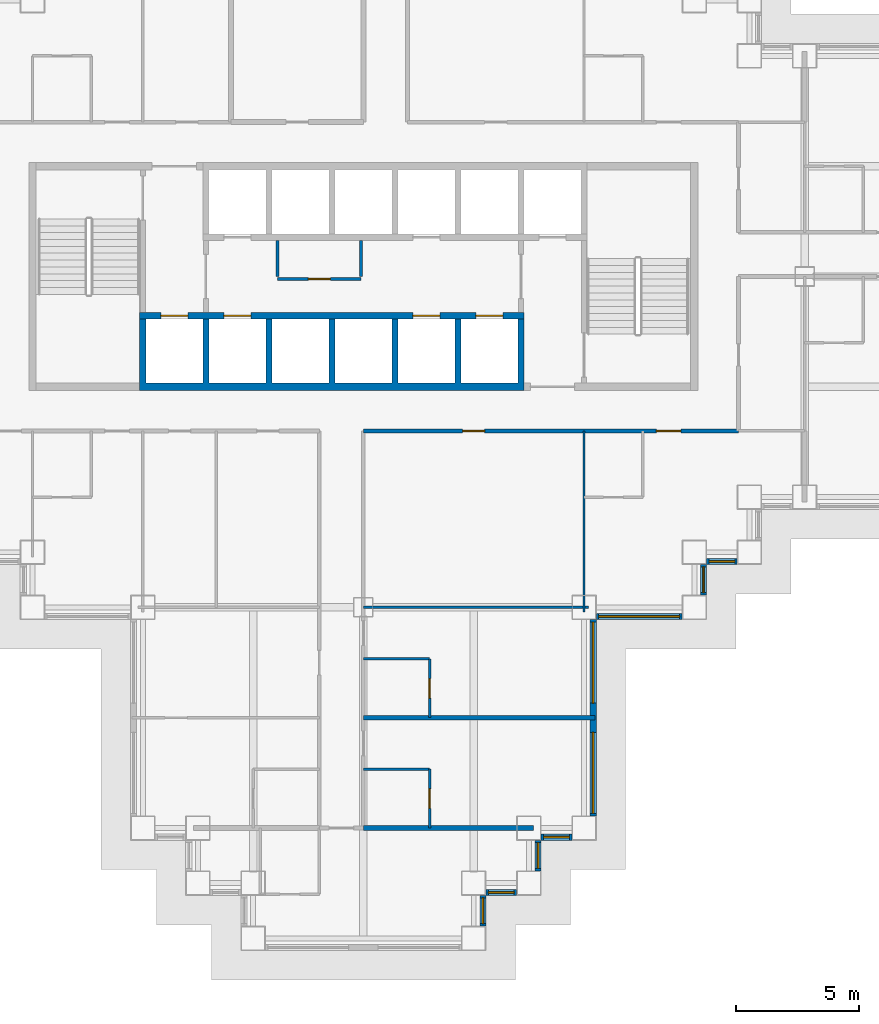
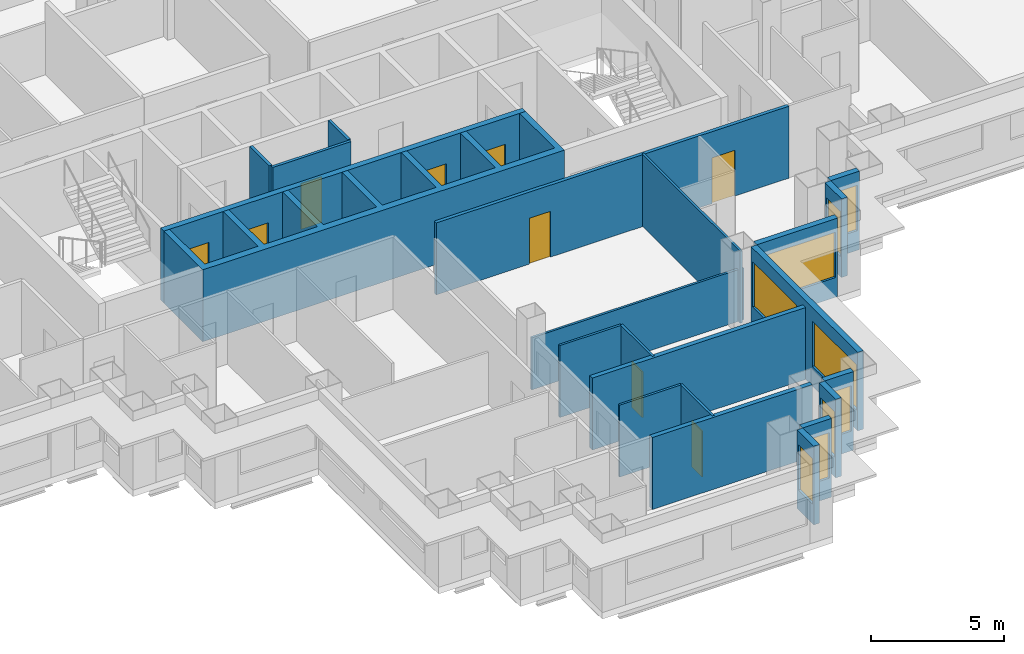
# One storey, part 5 of 14: 22 walls, 9 doors, 9 windows, 18 openings.
"""IFC4 building model written with IfcOpenShell, lengths in metres."""

from ifc_helpers import new_model, si_unit, direction, frame, frame_2d, origin, place, context, subcontext, project, spatial, polyline, rectangle, outline, extrude, material, layer, layer_set, type_object, element, fill, save


model = new_model("IFC4")

# Units and contexts
model_context = context("Model", 3, precision=1e-05, world=origin(), true_north=direction((0.0, 1.0)))
body_context = subcontext(model_context, "Body", "Model", "MODEL_VIEW")
ifc_project = project(units=[si_unit("LENGTHUNIT", "METRE"), si_unit("AREAUNIT", "SQUARE_METRE"), si_unit("VOLUMEUNIT", "CUBIC_METRE"), si_unit("PLANEANGLEUNIT", "RADIAN"), si_unit("MASSUNIT", "GRAM", prefix="KILO")], contexts=[model_context])

# Site, building, storey
site_placement = place(None, origin())
site = spatial("IfcSite", under=ifc_project, at=site_placement, CompositionType="ELEMENT")
building_placement = place(site_placement, origin())
building = spatial("IfcBuilding", under=site, at=building_placement, Name="Caravel Reach Hotel and Residences", CompositionType="ELEMENT")
storey_placement = place(building_placement, frame((0.0, 0.0, 67.199951171875)))
storey = spatial("IfcBuildingStorey", under=building, at=storey_placement, Name="L15", CompositionType="ELEMENT", Elevation=67.199951171875)

# Walls
ifc_material_1 = material(Name="Gypsum board on steel stud", Category="steel")
ifc_layer_1 = layer(ifc_material_1, 0.10009765625)
ifc_layer_set_1 = layer_set([ifc_layer_1], Name="Bathroom pod wall 100 mm")
wall_type_1 = type_object("IfcWallType", Name="Bathroom pod wall 100 mm", PredefinedType="PARTITIONING", material=ifc_layer_set_1)
for number, where, z_axis, x_axis, name in (
    (1, (31.5, 11.39990234375, 0.0), (0.0, 0.0, 1.0), (1.0, 0.0, 0.0), "L15 wall w074"),
    (2, (31.5, 6.89990234375, 0.0), (0.0, 0.0, 1.0), (1.0, 0.0, 0.0), "L15 wall w086"),
):
    element("IfcWall", number, at=place(storey_placement, frame(where, z_axis=z_axis, x_axis=x_axis)), inside=storey, type_object=wall_type_1, Name=name, PredefinedType="PARTITIONING", context=body_context, shape_type="SweptSolid", body=[
        extrude(rectangle(XDim=2.699951171875, YDim=0.10009765625, at=frame_2d((1.35009765625, 0.0))), origin(), (0.0, 0.0, 1.0), 3.300048828125),
    ])

# Wall, opening, door
wall_1_placement = place(storey_placement, frame((34.199951171875, 9.0, 0.0), z_axis=(0.0, 0.0, 1.0), x_axis=(0.0, 1.0, 0.0)))
wall_1 = element("IfcWall", 3, at=wall_1_placement, inside=storey, type_object=wall_type_1, Name="L15 wall w098", PredefinedType="PARTITIONING", context=body_context, shape_type="SweptSolid", body=[
    extrude(rectangle(XDim=2.39990234375, YDim=0.10009765625, at=frame_2d((1.199951171875, 0.0))), origin(), (0.0, 0.0, 1.0), 3.300048828125),
])
opening_1_placement = place(wall_1_placement, frame((0.800048828125, 0.0, 0.0)))
opening_1 = element("IfcOpeningElement", 4, at=opening_1_placement, cuts=wall_1, Name="Opening D15-034", PredefinedType="OPENING", context=body_context, shape_type="SweptSolid", body=[
    extrude(rectangle(XDim=0.800048828125, YDim=2.10009765625, at=frame_2d((0.39990234375, 1.050048828125))), frame((0.0, 0.06005859375, 0.0), z_axis=(0.0, -1.0, 0.0), x_axis=(1.0, 0.0, 0.0)), (0.0, 0.0, 1.0), 0.1201171875),
])
ifc_material_2 = material(Name="Timber and steel door leaf", Category="steel")
door_type_1 = type_object("IfcDoorType", Name="Bathroom door 800 x 2100", OperationType="SINGLE_SWING_LEFT", PredefinedType="DOOR", material=ifc_material_2)
door_1_placement = place(opening_1_placement, origin())
door_1 = element("IfcDoor", 5, at=door_1_placement, inside=storey, type_object=door_type_1, Name="door D15-034", OperationType="SINGLE_SWING_RIGHT", OverallHeight=2.10009765625, OverallWidth=0.800048828125, PredefinedType="DOOR", context=body_context, shape_type="SweptSolid", body=[
    extrude(rectangle(XDim=0.800048828125, YDim=2.10009765625, at=frame_2d((0.39990234375, 1.050048828125))), frame((0.0, 0.02490234375, 0.0), z_axis=(0.0, -1.0, 0.0), x_axis=(1.0, 0.0, 0.0)), (0.0, 0.0, 1.0), 0.050048828125),
])
fill(opening_1, door_1)

wall_2_placement = place(storey_placement, frame((34.199951171875, 4.5, 0.0), z_axis=(0.0, 0.0, 1.0), x_axis=(0.0, 1.0, 0.0)))
wall_2 = element("IfcWall", 6, at=wall_2_placement, inside=storey, type_object=wall_type_1, Name="L15 wall w099", PredefinedType="PARTITIONING", context=body_context, shape_type="SweptSolid", body=[
    extrude(rectangle(XDim=2.39990234375, YDim=0.10009765625, at=frame_2d((1.199951171875, 0.0))), origin(), (0.0, 0.0, 1.0), 3.300048828125),
])
opening_2_placement = place(wall_2_placement, frame((0.800048828125, 0.0, 0.0)))
opening_2 = element("IfcOpeningElement", 7, at=opening_2_placement, cuts=wall_2, Name="Opening D15-036", PredefinedType="OPENING", context=body_context, shape_type="SweptSolid", body=[
    extrude(rectangle(XDim=0.800048828125, YDim=2.10009765625, at=frame_2d((0.39990234375, 1.050048828125))), frame((0.0, 0.06005859375, 0.0), z_axis=(0.0, -1.0, 0.0), x_axis=(1.0, 0.0, 0.0)), (0.0, 0.0, 1.0), 0.1201171875),
])
door_2_placement = place(opening_2_placement, origin())
door_2 = element("IfcDoor", 8, at=door_2_placement, inside=storey, type_object=door_type_1, Name="door D15-036", OperationType="SINGLE_SWING_RIGHT", OverallHeight=2.10009765625, OverallWidth=0.800048828125, PredefinedType="DOOR", context=body_context, shape_type="SweptSolid", body=[
    extrude(rectangle(XDim=0.800048828125, YDim=2.10009765625, at=frame_2d((0.39990234375, 1.050048828125))), frame((0.0, 0.02490234375, 0.0), z_axis=(0.0, -1.0, 0.0), x_axis=(1.0, 0.0, 0.0)), (0.0, 0.0, 1.0), 0.050048828125),
])
fill(opening_2, door_2)

# Wall, openings, doors
ifc_material_3 = material(Name="Gypsum board on steel stud, fire-rated", Category="steel")
ifc_layer_2 = layer(ifc_material_3, 0.14990234375)
ifc_layer_set_2 = layer_set([ifc_layer_2], Name="Corridor wall 150 mm EI 60")
wall_type_2 = type_object("IfcWallType", Name="Corridor wall 150 mm EI 60", PredefinedType="PARTITIONING", material=ifc_layer_set_2)
wall_3_placement = place(storey_placement, frame((31.5, 20.699951171875, 0.0), z_axis=(0.0, 0.0, 1.0), x_axis=(1.0, 0.0, 0.0)))
wall_3 = element("IfcWall", 9, at=wall_3_placement, inside=storey, type_object=wall_type_2, Name="L15 wall w005", PredefinedType="PARTITIONING", context=body_context, shape_type="SweptSolid", body=[
    extrude(rectangle(XDim=15.300048828125, YDim=0.14990234375, at=frame_2d((7.64990234375, 0.0))), origin(), (0.0, 0.0, 1.0), 3.300048828125),
])
opening_3_placement = place(wall_3_placement, frame((11.949951171875, 0.0, 0.0)))
opening_3 = element("IfcOpeningElement", 10, at=opening_3_placement, cuts=wall_3, Name="Opening D15-049", PredefinedType="OPENING", context=body_context, shape_type="SweptSolid", body=[
    extrude(rectangle(XDim=1.0, YDim=2.10009765625, at=frame_2d((0.5, 1.050048828125))), frame((0.0, 0.0849609375, 0.0), z_axis=(0.0, -1.0, 0.0), x_axis=(1.0, 0.0, 0.0)), (0.0, 0.0, 1.0), 0.169921875),
])
opening_4_placement = place(wall_3_placement, frame((4.050048828125, 0.0, 0.0)))
opening_4 = element("IfcOpeningElement", 11, at=opening_4_placement, cuts=wall_3, Name="Opening D15-056", PredefinedType="OPENING", context=body_context, shape_type="SweptSolid", body=[
    extrude(rectangle(XDim=0.89990234375, YDim=2.10009765625, at=frame_2d((0.449951171875, 1.050048828125))), frame((0.0, 0.0849609375, 0.0), z_axis=(0.0, -1.0, 0.0), x_axis=(1.0, 0.0, 0.0)), (0.0, 0.0, 1.0), 0.169921875),
])
ifc_material_4 = material(Name="Timber and steel door leaf", Category="steel")
door_type_2 = type_object("IfcDoorType", Name="Door 900 x 2100 timber", OperationType="SINGLE_SWING_LEFT", PredefinedType="DOOR", material=ifc_material_4)
door_3_placement = place(opening_4_placement, origin())
door_3 = element("IfcDoor", 12, at=door_3_placement, inside=storey, type_object=door_type_2, Name="door D15-056", OperationType="SINGLE_SWING_RIGHT", OverallHeight=2.10009765625, OverallWidth=0.89990234375, PredefinedType="DOOR", context=body_context, shape_type="SweptSolid", body=[
    extrude(rectangle(XDim=0.89990234375, YDim=2.10009765625, at=frame_2d((0.449951171875, 1.050048828125))), frame((0.0, 0.02490234375, 0.0), z_axis=(0.0, -1.0, 0.0), x_axis=(1.0, 0.0, 0.0)), (0.0, 0.0, 1.0), 0.050048828125),
])
fill(opening_4, door_3)
ifc_material_5 = material(Name="Steel fire door leaf", Category="steel")
door_type_3 = type_object("IfcDoorType", Name="Guest room door 1000 x 2100 EI 30", OperationType="SINGLE_SWING_LEFT", PredefinedType="DOOR", material=ifc_material_5)
door_4_placement = place(opening_3_placement, origin())
door_4 = element("IfcDoor", 13, at=door_4_placement, inside=storey, type_object=door_type_3, Name="door D15-049", OperationType="SINGLE_SWING_RIGHT", OverallHeight=2.10009765625, OverallWidth=1.0, PredefinedType="DOOR", context=body_context, shape_type="SweptSolid", body=[
    extrude(rectangle(XDim=1.0, YDim=2.10009765625, at=frame_2d((0.5, 1.050048828125))), frame((0.0, 0.02490234375, 0.0), z_axis=(0.0, -1.0, 0.0), x_axis=(1.0, 0.0, 0.0)), (0.0, 0.0, 1.0), 0.050048828125),
])
fill(opening_3, door_4)

# Wall, opening, window
ifc_material_6 = material(Name="Insulated rainscreen wall, aluminium cladding", Category="aluminium")
ifc_layer_3 = layer(ifc_material_6, 0.25)
ifc_layer_set_3 = layer_set([ifc_layer_3], Name="EW1 Tower rainscreen wall")
wall_type_3 = type_object("IfcWallType", Name="EW1 Tower rainscreen wall", PredefinedType="SOLIDWALL", material=ifc_layer_set_3)
wall_4_placement = place(storey_placement, frame((36.375, 0.5, 0.0), z_axis=(0.0, 0.0, 1.0), x_axis=(0.0, 1.0, 0.0)))
wall_4 = element("IfcWall", 14, at=wall_4_placement, inside=storey, type_object=wall_type_3, Name="External wall L15 E6.1", PredefinedType="SOLIDWALL", context=body_context, shape_type="SweptSolid", body=[
    extrude(rectangle(XDim=1.25, YDim=0.25, at=frame_2d((0.625, 0.0))), origin(), (0.0, 0.0, 1.0), 3.60009765625),
])
opening_5_placement = place(wall_4_placement, frame((0.10009765625, 0.0, 0.89990234375)))
opening_5 = element("IfcOpeningElement", 15, at=opening_5_placement, cuts=wall_4, Name="Opening WN3", PredefinedType="OPENING", context=body_context, shape_type="SweptSolid", body=[
    extrude(rectangle(XDim=1.050048828125, YDim=2.080078125, at=frame_2d((0.52490234375, 1.0400390625))), frame((0.0, 0.135009765625, 0.0), z_axis=(0.0, -1.0, 0.0), x_axis=(1.0, 0.0, 0.0)), (0.0, 0.0, 1.0), 0.27001953125),
])
ifc_material_7 = material(Name="Dark low-e glazing in black aluminium frame", Category="aluminium")
window_type_1 = type_object("IfcWindowType", Name="Hotel suite corner window 1050 x 2080", PartitioningType="SINGLE_PANEL", PredefinedType="WINDOW", material=ifc_material_7)
window_1_placement = place(opening_5_placement, origin())
window_1 = element("IfcWindow", 16, at=window_1_placement, inside=storey, type_object=window_type_1, Name="Window L15 E6.1.1", OverallHeight=2.080078125, OverallWidth=1.050048828125, PartitioningType="SINGLE_PANEL", PredefinedType="WINDOW", context=body_context, shape_type="SweptSolid", body=[
    extrude(rectangle(XDim=1.050048828125, YDim=2.080078125, at=frame_2d((0.52490234375, 1.0400390625))), frame((0.0, 0.030029296875, 0.0), z_axis=(0.0, -1.0, 0.0), x_axis=(1.0, 0.0, 0.0)), (0.0, 0.0, 1.0), 0.06005859375),
])
fill(opening_5, window_1)

wall_5_placement = place(storey_placement, frame((36.5, 1.875, 0.0), z_axis=(0.0, 0.0, 1.0), x_axis=(1.0, 0.0, 0.0)))
wall_5 = element("IfcWall", 17, at=wall_5_placement, inside=storey, type_object=wall_type_3, Name="External wall L15 S7.1", PredefinedType="SOLIDWALL", context=body_context, shape_type="SweptSolid", body=[
    extrude(rectangle(XDim=1.25, YDim=0.25, at=frame_2d((0.625, 0.0))), origin(), (0.0, 0.0, 1.0), 3.60009765625),
])
opening_6_placement = place(wall_5_placement, frame((0.10009765625, 0.0, 0.89990234375)))
opening_6 = element("IfcOpeningElement", 18, at=opening_6_placement, cuts=wall_5, Name="Opening WN3", PredefinedType="OPENING", context=body_context, shape_type="SweptSolid", body=[
    extrude(rectangle(XDim=1.050048828125, YDim=2.080078125, at=frame_2d((0.52490234375, 1.0400390625))), frame((0.0, 0.135009765625, 0.0), z_axis=(0.0, -1.0, 0.0), x_axis=(1.0, 0.0, 0.0)), (0.0, 0.0, 1.0), 0.27001953125),
])
window_2_placement = place(opening_6_placement, origin())
window_2 = element("IfcWindow", 19, at=window_2_placement, inside=storey, type_object=window_type_1, Name="Window L15 S7.1.1", OverallHeight=2.080078125, OverallWidth=1.050048828125, PartitioningType="SINGLE_PANEL", PredefinedType="WINDOW", context=body_context, shape_type="SweptSolid", body=[
    extrude(rectangle(XDim=1.050048828125, YDim=2.080078125, at=frame_2d((0.52490234375, 1.0400390625))), frame((0.0, 0.030029296875, 0.0), z_axis=(0.0, -1.0, 0.0), x_axis=(1.0, 0.0, 0.0)), (0.0, 0.0, 1.0), 0.06005859375),
])
fill(opening_6, window_2)

wall_6_placement = place(storey_placement, frame((38.625, 2.75, 0.0), z_axis=(0.0, 0.0, 1.0), x_axis=(0.0, 1.0, 0.0)))
wall_6 = element("IfcWall", 20, at=wall_6_placement, inside=storey, type_object=wall_type_3, Name="External wall L15 E8.1", PredefinedType="SOLIDWALL", context=body_context, shape_type="SweptSolid", body=[
    extrude(rectangle(XDim=1.25, YDim=0.25, at=frame_2d((0.625, 0.0))), origin(), (0.0, 0.0, 1.0), 3.60009765625),
])
opening_7_placement = place(wall_6_placement, frame((0.10009765625, 0.0, 0.89990234375)))
opening_7 = element("IfcOpeningElement", 21, at=opening_7_placement, cuts=wall_6, Name="Opening WN3", PredefinedType="OPENING", context=body_context, shape_type="SweptSolid", body=[
    extrude(rectangle(XDim=1.050048828125, YDim=2.080078125, at=frame_2d((0.52490234375, 1.0400390625))), frame((0.0, 0.135009765625, 0.0), z_axis=(0.0, -1.0, 0.0), x_axis=(1.0, 0.0, 0.0)), (0.0, 0.0, 1.0), 0.27001953125),
])
window_3_placement = place(opening_7_placement, origin())
window_3 = element("IfcWindow", 22, at=window_3_placement, inside=storey, type_object=window_type_1, Name="Window L15 E8.1.1", OverallHeight=2.080078125, OverallWidth=1.050048828125, PartitioningType="SINGLE_PANEL", PredefinedType="WINDOW", context=body_context, shape_type="SweptSolid", body=[
    extrude(rectangle(XDim=1.050048828125, YDim=2.080078125, at=frame_2d((0.52490234375, 1.0400390625))), frame((0.0, 0.030029296875, 0.0), z_axis=(0.0, -1.0, 0.0), x_axis=(1.0, 0.0, 0.0)), (0.0, 0.0, 1.0), 0.06005859375),
])
fill(opening_7, window_3)

wall_7_placement = place(storey_placement, frame((38.75, 4.125, 0.0), z_axis=(0.0, 0.0, 1.0), x_axis=(1.0, 0.0, 0.0)))
wall_7 = element("IfcWall", 23, at=wall_7_placement, inside=storey, type_object=wall_type_3, Name="External wall L15 S9.1", PredefinedType="SOLIDWALL", context=body_context, shape_type="SweptSolid", body=[
    extrude(rectangle(XDim=1.25, YDim=0.25, at=frame_2d((0.625, 0.0))), origin(), (0.0, 0.0, 1.0), 3.60009765625),
])
opening_8_placement = place(wall_7_placement, frame((0.10009765625, 0.0, 0.89990234375)))
opening_8 = element("IfcOpeningElement", 24, at=opening_8_placement, cuts=wall_7, Name="Opening WN3", PredefinedType="OPENING", context=body_context, shape_type="SweptSolid", body=[
    extrude(rectangle(XDim=1.050048828125, YDim=2.080078125, at=frame_2d((0.52490234375, 1.0400390625))), frame((0.0, 0.135009765625, 0.0), z_axis=(0.0, -1.0, 0.0), x_axis=(1.0, 0.0, 0.0)), (0.0, 0.0, 1.0), 0.27001953125),
])
window_4_placement = place(opening_8_placement, origin())
window_4 = element("IfcWindow", 25, at=window_4_placement, inside=storey, type_object=window_type_1, Name="Window L15 S9.1.1", OverallHeight=2.080078125, OverallWidth=1.050048828125, PartitioningType="SINGLE_PANEL", PredefinedType="WINDOW", context=body_context, shape_type="SweptSolid", body=[
    extrude(rectangle(XDim=1.050048828125, YDim=2.080078125, at=frame_2d((0.52490234375, 1.0400390625))), frame((0.0, 0.030029296875, 0.0), z_axis=(0.0, -1.0, 0.0), x_axis=(1.0, 0.0, 0.0)), (0.0, 0.0, 1.0), 0.06005859375),
])
fill(opening_8, window_4)

# Wall, openings, windows
wall_8_placement = place(storey_placement, frame((40.875, 5.0, 0.0), z_axis=(0.0, 0.0, 1.0), x_axis=(0.0, 1.0, 0.0)))
wall_8 = element("IfcWall", 26, at=wall_8_placement, inside=storey, type_object=wall_type_3, Name="External wall L15 E10.1", PredefinedType="SOLIDWALL", context=body_context, shape_type="SweptSolid", body=[
    extrude(rectangle(XDim=8.0, YDim=0.25, at=frame_2d((4.0, 0.0))), origin(), (0.0, 0.0, 1.0), 3.60009765625),
])
opening_9_placement = place(wall_8_placement, frame((0.10009765625, 0.0, 0.89990234375)))
opening_9 = element("IfcOpeningElement", 27, at=opening_9_placement, cuts=wall_8, Name="Opening WN4", PredefinedType="OPENING", context=body_context, shape_type="SweptSolid", body=[
    extrude(rectangle(XDim=3.300048828125, YDim=2.080078125, at=frame_2d((1.64990234375, 1.0400390625))), frame((0.0, 0.135009765625, 0.0), z_axis=(0.0, -1.0, 0.0), x_axis=(1.0, 0.0, 0.0)), (0.0, 0.0, 1.0), 0.27001953125),
])
opening_10_placement = place(wall_8_placement, frame((4.60009765625, 0.0, 0.89990234375)))
opening_10 = element("IfcOpeningElement", 28, at=opening_10_placement, cuts=wall_8, Name="Opening WN4", PredefinedType="OPENING", context=body_context, shape_type="SweptSolid", body=[
    extrude(rectangle(XDim=3.300048828125, YDim=2.080078125, at=frame_2d((1.64990234375, 1.0400390625))), frame((0.0, 0.135009765625, 0.0), z_axis=(0.0, -1.0, 0.0), x_axis=(1.0, 0.0, 0.0)), (0.0, 0.0, 1.0), 0.27001953125),
])
ifc_material_8 = material(Name="Dark low-e glazing in black aluminium frame", Category="aluminium")
window_type_2 = type_object("IfcWindowType", Name="Hotel guest room window 3300 x 2080", PartitioningType="SINGLE_PANEL", PredefinedType="WINDOW", material=ifc_material_8)
window_5_placement = place(opening_9_placement, origin())
window_5 = element("IfcWindow", 29, at=window_5_placement, inside=storey, type_object=window_type_2, Name="Window L15 E10.1.1", OverallHeight=2.080078125, OverallWidth=3.300048828125, PartitioningType="SINGLE_PANEL", PredefinedType="WINDOW", context=body_context, shape_type="SweptSolid", body=[
    extrude(rectangle(XDim=3.300048828125, YDim=2.080078125, at=frame_2d((1.64990234375, 1.0400390625))), frame((0.0, 0.030029296875, 0.0), z_axis=(0.0, -1.0, 0.0), x_axis=(1.0, 0.0, 0.0)), (0.0, 0.0, 1.0), 0.06005859375),
])
fill(opening_9, window_5)
window_6_placement = place(opening_10_placement, origin())
window_6 = element("IfcWindow", 30, at=window_6_placement, inside=storey, type_object=window_type_2, Name="Window L15 E10.1.2", OverallHeight=2.080078125, OverallWidth=3.300048828125, PartitioningType="SINGLE_PANEL", PredefinedType="WINDOW", context=body_context, shape_type="SweptSolid", body=[
    extrude(rectangle(XDim=3.300048828125, YDim=2.080078125, at=frame_2d((1.64990234375, 1.0400390625))), frame((0.0, 0.030029296875, 0.0), z_axis=(0.0, -1.0, 0.0), x_axis=(1.0, 0.0, 0.0)), (0.0, 0.0, 1.0), 0.06005859375),
])
fill(opening_10, window_6)

# Wall, opening, window
wall_9_placement = place(storey_placement, frame((41.0, 13.125, 0.0), z_axis=(0.0, 0.0, 1.0), x_axis=(1.0, 0.0, 0.0)))
wall_9 = element("IfcWall", 31, at=wall_9_placement, inside=storey, type_object=wall_type_3, Name="External wall L15 S11.1", PredefinedType="SOLIDWALL", context=body_context, shape_type="SweptSolid", body=[
    extrude(rectangle(XDim=3.5, YDim=0.25, at=frame_2d((1.75, 0.0))), origin(), (0.0, 0.0, 1.0), 3.60009765625),
])
opening_11_placement = place(wall_9_placement, frame((0.10009765625, 0.0, 0.89990234375)))
opening_11 = element("IfcOpeningElement", 32, at=opening_11_placement, cuts=wall_9, Name="Opening WN4", PredefinedType="OPENING", context=body_context, shape_type="SweptSolid", body=[
    extrude(rectangle(XDim=3.300048828125, YDim=2.080078125, at=frame_2d((1.64990234375, 1.0400390625))), frame((0.0, 0.135009765625, 0.0), z_axis=(0.0, -1.0, 0.0), x_axis=(1.0, 0.0, 0.0)), (0.0, 0.0, 1.0), 0.27001953125),
])
window_7_placement = place(opening_11_placement, origin())
window_7 = element("IfcWindow", 33, at=window_7_placement, inside=storey, type_object=window_type_2, Name="Window L15 S11.1.1", OverallHeight=2.080078125, OverallWidth=3.300048828125, PartitioningType="SINGLE_PANEL", PredefinedType="WINDOW", context=body_context, shape_type="SweptSolid", body=[
    extrude(rectangle(XDim=3.300048828125, YDim=2.080078125, at=frame_2d((1.64990234375, 1.0400390625))), frame((0.0, 0.030029296875, 0.0), z_axis=(0.0, -1.0, 0.0), x_axis=(1.0, 0.0, 0.0)), (0.0, 0.0, 1.0), 0.06005859375),
])
fill(opening_11, window_7)

wall_10_placement = place(storey_placement, frame((45.375, 14.0, 0.0), z_axis=(0.0, 0.0, 1.0), x_axis=(0.0, 1.0, 0.0)))
wall_10 = element("IfcWall", 34, at=wall_10_placement, inside=storey, type_object=wall_type_3, Name="External wall L15 E12.1", PredefinedType="SOLIDWALL", context=body_context, shape_type="SweptSolid", body=[
    extrude(rectangle(XDim=1.25, YDim=0.25, at=frame_2d((0.625, 0.0))), origin(), (0.0, 0.0, 1.0), 3.60009765625),
])
opening_12_placement = place(wall_10_placement, frame((0.10009765625, 0.0, 0.89990234375)))
opening_12 = element("IfcOpeningElement", 35, at=opening_12_placement, cuts=wall_10, Name="Opening WN3", PredefinedType="OPENING", context=body_context, shape_type="SweptSolid", body=[
    extrude(rectangle(XDim=1.050048828125, YDim=2.080078125, at=frame_2d((0.52490234375, 1.0400390625))), frame((0.0, 0.135009765625, 0.0), z_axis=(0.0, -1.0, 0.0), x_axis=(1.0, 0.0, 0.0)), (0.0, 0.0, 1.0), 0.27001953125),
])
window_8_placement = place(opening_12_placement, origin())
window_8 = element("IfcWindow", 36, at=window_8_placement, inside=storey, type_object=window_type_1, Name="Window L15 E12.1.1", OverallHeight=2.080078125, OverallWidth=1.050048828125, PartitioningType="SINGLE_PANEL", PredefinedType="WINDOW", context=body_context, shape_type="SweptSolid", body=[
    extrude(rectangle(XDim=1.050048828125, YDim=2.080078125, at=frame_2d((0.52490234375, 1.0400390625))), frame((0.0, 0.030029296875, 0.0), z_axis=(0.0, -1.0, 0.0), x_axis=(1.0, 0.0, 0.0)), (0.0, 0.0, 1.0), 0.06005859375),
])
fill(opening_12, window_8)

wall_11_placement = place(storey_placement, frame((45.5, 15.375, 0.0), z_axis=(0.0, 0.0, 1.0), x_axis=(1.0, 0.0, 0.0)))
wall_11 = element("IfcWall", 37, at=wall_11_placement, inside=storey, type_object=wall_type_3, Name="External wall L15 S13.1", PredefinedType="SOLIDWALL", context=body_context, shape_type="SweptSolid", body=[
    extrude(rectangle(XDim=1.25, YDim=0.25, at=frame_2d((0.625, 0.0))), origin(), (0.0, 0.0, 1.0), 3.60009765625),
])
opening_13_placement = place(wall_11_placement, frame((0.10009765625, 0.0, 0.89990234375)))
opening_13 = element("IfcOpeningElement", 38, at=opening_13_placement, cuts=wall_11, Name="Opening WN3", PredefinedType="OPENING", context=body_context, shape_type="SweptSolid", body=[
    extrude(rectangle(XDim=1.050048828125, YDim=2.080078125, at=frame_2d((0.52490234375, 1.0400390625))), frame((0.0, 0.135009765625, 0.0), z_axis=(0.0, -1.0, 0.0), x_axis=(1.0, 0.0, 0.0)), (0.0, 0.0, 1.0), 0.27001953125),
])
window_9_placement = place(opening_13_placement, origin())
window_9 = element("IfcWindow", 39, at=window_9_placement, inside=storey, type_object=window_type_1, Name="Window L15 S13.1.1", OverallHeight=2.080078125, OverallWidth=1.050048828125, PartitioningType="SINGLE_PANEL", PredefinedType="WINDOW", context=body_context, shape_type="SweptSolid", body=[
    extrude(rectangle(XDim=1.050048828125, YDim=2.080078125, at=frame_2d((0.52490234375, 1.0400390625))), frame((0.0, 0.030029296875, 0.0), z_axis=(0.0, -1.0, 0.0), x_axis=(1.0, 0.0, 0.0)), (0.0, 0.0, 1.0), 0.06005859375),
])
fill(opening_13, window_9)

# Walls
ifc_material_9 = material(Name="Gypsum board on steel stud", Category="steel")
ifc_layer_4 = layer(ifc_material_9, 0.10009765625)
ifc_layer_set_4 = layer_set([ifc_layer_4], Name="Partition 100 mm")
wall_type_4 = type_object("IfcWallType", Name="Partition 100 mm", PredefinedType="PARTITIONING", material=ifc_layer_set_4)
wall_12_placement = place(storey_placement, frame((31.5, 13.5, 0.0), z_axis=(0.0, 0.0, 1.0), x_axis=(1.0, 0.0, 0.0)))
element("IfcWall", 40, at=wall_12_placement, inside=storey, type_object=wall_type_4, Name="L15 wall w038", PredefinedType="PARTITIONING", context=body_context, shape_type="SweptSolid", body=[
    extrude(rectangle(XDim=9.18994140625, YDim=0.10009765625, at=frame_2d((4.594970703125, 0.0))), origin(), (0.0, 0.0, 1.0), 2.380126953125),
])
wall_13_placement = place(storey_placement, frame((40.5, 13.31005859375, 0.0), z_axis=(0.0, 0.0, 1.0), x_axis=(0.0, 1.0, 0.0)))
element("IfcWall", 41, at=wall_13_placement, inside=storey, type_object=wall_type_4, Name="L15 wall w059", PredefinedType="PARTITIONING", context=body_context, shape_type="SweptSolid", body=[
    extrude(rectangle(XDim=7.389892578125, YDim=0.10009765625, at=frame_2d((3.69482421875, 0.0))), origin(), (0.0, 0.0, 1.0), 3.300048828125),
])
ifc_material_10 = material(Name="Autoclaved aerated block wall")
ifc_layer_5 = layer(ifc_material_10, 0.199951171875)
ifc_layer_set_5 = layer_set([ifc_layer_5], Name="Party wall 200 mm EI 60")
wall_type_5 = type_object("IfcWallType", Name="Party wall 200 mm EI 60", PredefinedType="PARTITIONING", material=ifc_layer_set_5)
wall_14_placement = place(storey_placement, frame((31.5, 4.5, 0.0), z_axis=(0.0, 0.0, 1.0), x_axis=(1.0, 0.0, 0.0)))
element("IfcWall", 42, at=wall_14_placement, inside=storey, type_object=wall_type_5, Name="L15 wall w066", PredefinedType="PARTITIONING", context=body_context, shape_type="SweptSolid", body=[
    extrude(rectangle(XDim=6.93994140625, YDim=0.199951171875, at=frame_2d((3.469970703125, 0.0))), origin(), (0.0, 0.0, 1.0), 3.300048828125),
])
wall_15_placement = place(storey_placement, frame((31.5, 9.0, 0.0), z_axis=(0.0, 0.0, 1.0), x_axis=(1.0, 0.0, 0.0)))
element("IfcWall", 43, at=wall_15_placement, inside=storey, type_object=wall_type_5, Name="L15 wall w069", PredefinedType="PARTITIONING", context=body_context, shape_type="SweptSolid", body=[
    extrude(rectangle(XDim=9.43994140625, YDim=0.199951171875, at=frame_2d((4.719970703125, 0.0))), origin(), (0.0, 0.0, 1.0), 3.300048828125),
])

# Wall, opening, door
ifc_material_11 = material(Name="Autoclaved aerated block wall")
ifc_layer_6 = layer(ifc_material_11, 0.125)
ifc_layer_set_6 = layer_set([ifc_layer_6], Name="Riser wall 125 mm EI 60")
wall_type_6 = type_object("IfcWallType", Name="Riser wall 125 mm EI 60", PredefinedType="PARTITIONING", material=ifc_layer_set_6)
wall_16_placement = place(storey_placement, frame((28.0, 26.89990234375, 0.0), z_axis=(0.0, 0.0, 1.0), x_axis=(1.0, 0.0, 0.0)))
wall_16 = element("IfcWall", 44, at=wall_16_placement, inside=storey, type_object=wall_type_6, Name="L15 service room wall N1", PredefinedType="PARTITIONING", context=body_context, shape_type="SweptSolid", body=[
    extrude(rectangle(XDim=3.39990234375, YDim=0.125, at=frame_2d((1.699951171875, 0.0))), origin(), (0.0, 0.0, 1.0), 3.300048828125),
])
opening_14_placement = place(wall_16_placement, frame((1.25, 0.0, 0.0)))
opening_14 = element("IfcOpeningElement", 45, at=opening_14_placement, cuts=wall_16, Name="Opening D15-008", PredefinedType="OPENING", context=body_context, shape_type="SweptSolid", body=[
    extrude(rectangle(XDim=0.89990234375, YDim=2.10009765625, at=frame_2d((0.449951171875, 1.050048828125))), frame((0.0, 0.072509765625, 0.0), z_axis=(0.0, -1.0, 0.0), x_axis=(1.0, 0.0, 0.0)), (0.0, 0.0, 1.0), 0.14501953125),
])
ifc_material_12 = material(Name="Steel fire door leaf", Category="steel")
door_type_4 = type_object("IfcDoorType", Name="Riser door 900 x 2100 EI 60", OperationType="SINGLE_SWING_LEFT", PredefinedType="DOOR", material=ifc_material_12)
door_5_placement = place(opening_14_placement, origin())
door_5 = element("IfcDoor", 46, at=door_5_placement, inside=storey, type_object=door_type_4, Name="Housekeeping store door", OperationType="SINGLE_SWING_LEFT", OverallHeight=2.10009765625, OverallWidth=0.89990234375, PredefinedType="DOOR", context=body_context, shape_type="SweptSolid", body=[
    extrude(rectangle(XDim=0.89990234375, YDim=2.10009765625, at=frame_2d((0.449951171875, 1.050048828125))), frame((0.0, 0.02490234375, 0.0), z_axis=(0.0, -1.0, 0.0), x_axis=(1.0, 0.0, 0.0)), (0.0, 0.0, 1.0), 0.050048828125),
])
fill(opening_14, door_5)

# Walls
for number, where, z_axis, x_axis, name in (
    (47, (28.0, 28.47509765625, 0.0), (0.0, 0.0, 1.0), (0.0, -1.0, 0.0), "L15 service room partition N1"),
    (48, (31.39990234375, 28.47509765625, 0.0), (0.0, 0.0, 1.0), (0.0, -1.0, 0.0), "L15 service room partition N1"),
):
    element("IfcWall", number, at=place(storey_placement, frame(where, z_axis=z_axis, x_axis=x_axis)), inside=storey, type_object=wall_type_6, Name=name, PredefinedType="PARTITIONING", context=body_context, shape_type="SweptSolid", body=[
        extrude(rectangle(XDim=1.47509765625, YDim=0.125, at=frame_2d((0.737548828125, 0.0))), origin(), (0.0, 0.0, 1.0), 3.300048828125),
    ])
ifc_material_13 = material(Name="Concrete C60", Category="concrete")
ifc_layer_7 = layer(ifc_material_13, 0.25)
ifc_layer_set_7 = layer_set([ifc_layer_7], Name="Shaft wall 250 mm EI 120")
wall_type_7 = type_object("IfcWallType", Name="Shaft wall 250 mm EI 120", PredefinedType="SHEAR", material=ifc_layer_set_7)
wall_17_placement = place(storey_placement, origin())
element("IfcWall", 49, at=wall_17_placement, inside=storey, type_object=wall_type_7, Name="L15 lift shaft wall S1", PredefinedType="SHEAR", context=body_context, shape_type="SweptSolid", body=[
    extrude(outline(polyline([(22.375, 22.35009765625), (38.053466796875, 22.35009765625), (38.053466796875, 25.27490234375), (37.803466796875, 25.27490234375), (37.803466796875, 22.64990234375), (35.482177734375, 22.64990234375), (35.482177734375, 25.27490234375), (35.232177734375, 25.27490234375), (35.232177734375, 22.64990234375), (32.91064453125, 22.64990234375), (32.91064453125, 25.27490234375), (32.66064453125, 25.27490234375), (32.66064453125, 22.64990234375), (30.33935546875, 22.64990234375), (30.33935546875, 25.27490234375), (30.08935546875, 25.27490234375), (30.08935546875, 22.64990234375), (27.767822265625, 22.64990234375), (27.767822265625, 25.27490234375), (27.517822265625, 25.27490234375), (27.517822265625, 22.64990234375), (25.196533203125, 22.64990234375), (25.196533203125, 25.27490234375), (24.946533203125, 25.27490234375), (24.946533203125, 22.64990234375), (22.625, 22.64990234375), (22.625, 25.27490234375), (22.375, 25.27490234375), (22.375, 22.35009765625)])), origin(), (0.0, 0.0, 1.0), 3.300048828125),
])

# Wall, openings, doors
wall_18_placement = place(storey_placement, frame((22.375, 25.39990234375, 0.0), z_axis=(0.0, 0.0, 1.0), x_axis=(1.0, 0.0, 0.0)))
wall_18 = element("IfcWall", 50, at=wall_18_placement, inside=storey, type_object=wall_type_7, Name="L15 lobby wall S1", PredefinedType="SHEAR", context=body_context, shape_type="SweptSolid", body=[
    extrude(rectangle(XDim=15.678466796875, YDim=0.25, at=frame_2d((7.83935546875, 0.0))), origin(), (0.0, 0.0, 1.0), 3.300048828125),
])
opening_15_placement = place(wall_18_placement, frame((3.43212890625, 0.0, 0.0)))
opening_15 = element("IfcOpeningElement", 51, at=opening_15_placement, cuts=wall_18, Name="Opening D15-001", PredefinedType="OPENING", context=body_context, shape_type="SweptSolid", body=[
    extrude(rectangle(XDim=1.10009765625, YDim=2.10009765625, at=frame_2d((0.550048828125, 1.050048828125))), frame((0.0, 0.135009765625, 0.0), z_axis=(0.0, -1.0, 0.0), x_axis=(1.0, 0.0, 0.0)), (0.0, 0.0, 1.0), 0.27001953125),
])
opening_16_placement = place(wall_18_placement, frame((11.146484375, 0.0, 0.0)))
opening_16 = element("IfcOpeningElement", 52, at=opening_16_placement, cuts=wall_18, Name="Opening D15-002", PredefinedType="OPENING", context=body_context, shape_type="SweptSolid", body=[
    extrude(rectangle(XDim=1.10009765625, YDim=2.10009765625, at=frame_2d((0.550048828125, 1.050048828125))), frame((0.0, 0.135009765625, 0.0), z_axis=(0.0, -1.0, 0.0), x_axis=(1.0, 0.0, 0.0)), (0.0, 0.0, 1.0), 0.27001953125),
])
opening_17_placement = place(wall_18_placement, frame((13.718017578125, 0.0, 0.0)))
opening_17 = element("IfcOpeningElement", 53, at=opening_17_placement, cuts=wall_18, Name="Opening D15-003", PredefinedType="OPENING", context=body_context, shape_type="SweptSolid", body=[
    extrude(rectangle(XDim=1.10009765625, YDim=2.10009765625, at=frame_2d((0.550048828125, 1.050048828125))), frame((0.0, 0.135009765625, 0.0), z_axis=(0.0, -1.0, 0.0), x_axis=(1.0, 0.0, 0.0)), (0.0, 0.0, 1.0), 0.27001953125),
])
opening_18_placement = place(wall_18_placement, frame((0.860595703125, 0.0, 0.0)))
opening_18 = element("IfcOpeningElement", 54, at=opening_18_placement, cuts=wall_18, Name="Opening D15-006", PredefinedType="OPENING", context=body_context, shape_type="SweptSolid", body=[
    extrude(rectangle(XDim=1.10009765625, YDim=2.10009765625, at=frame_2d((0.550048828125, 1.050048828125))), frame((0.0, 0.135009765625, 0.0), z_axis=(0.0, -1.0, 0.0), x_axis=(1.0, 0.0, 0.0)), (0.0, 0.0, 1.0), 0.27001953125),
])
ifc_material_14 = material(Name="Stainless steel landing door", Category="steel")
door_type_5 = type_object("IfcDoorType", Name="Landing door LD 1100 x 2100 sliding", OperationType="DOUBLE_DOOR_SLIDING", PredefinedType="DOOR", material=ifc_material_14)
door_6_placement = place(opening_15_placement, origin())
door_6 = element("IfcDoor", 55, at=door_6_placement, inside=storey, type_object=door_type_5, Name="LP1 landing door", OperationType="DOUBLE_DOOR_SLIDING", OverallHeight=2.10009765625, OverallWidth=1.10009765625, PredefinedType="DOOR", context=body_context, shape_type="SweptSolid", body=[
    extrude(rectangle(XDim=1.10009765625, YDim=2.10009765625, at=frame_2d((0.550048828125, 1.050048828125))), frame((0.0, 0.02490234375, 0.0), z_axis=(0.0, -1.0, 0.0), x_axis=(1.0, 0.0, 0.0)), (0.0, 0.0, 1.0), 0.050048828125),
])
fill(opening_15, door_6)
door_7_placement = place(opening_16_placement, origin())
door_7 = element("IfcDoor", 56, at=door_7_placement, inside=storey, type_object=door_type_5, Name="LP2 landing door", OperationType="DOUBLE_DOOR_SLIDING", OverallHeight=2.10009765625, OverallWidth=1.10009765625, PredefinedType="DOOR", context=body_context, shape_type="SweptSolid", body=[
    extrude(rectangle(XDim=1.10009765625, YDim=2.10009765625, at=frame_2d((0.550048828125, 1.050048828125))), frame((0.0, 0.02490234375, 0.0), z_axis=(0.0, -1.0, 0.0), x_axis=(1.0, 0.0, 0.0)), (0.0, 0.0, 1.0), 0.050048828125),
])
fill(opening_16, door_7)
door_8_placement = place(opening_17_placement, origin())
door_8 = element("IfcDoor", 57, at=door_8_placement, inside=storey, type_object=door_type_5, Name="LP3 landing door", OperationType="DOUBLE_DOOR_SLIDING", OverallHeight=2.10009765625, OverallWidth=1.10009765625, PredefinedType="DOOR", context=body_context, shape_type="SweptSolid", body=[
    extrude(rectangle(XDim=1.10009765625, YDim=2.10009765625, at=frame_2d((0.550048828125, 1.050048828125))), frame((0.0, 0.02490234375, 0.0), z_axis=(0.0, -1.0, 0.0), x_axis=(1.0, 0.0, 0.0)), (0.0, 0.0, 1.0), 0.050048828125),
])
fill(opening_17, door_8)
door_9_placement = place(opening_18_placement, origin())
door_9 = element("IfcDoor", 58, at=door_9_placement, inside=storey, type_object=door_type_5, Name="FL1 landing door", OperationType="DOUBLE_DOOR_SLIDING", OverallHeight=2.10009765625, OverallWidth=1.10009765625, PredefinedType="DOOR", context=body_context, shape_type="SweptSolid", body=[
    extrude(rectangle(XDim=1.10009765625, YDim=2.10009765625, at=frame_2d((0.550048828125, 1.050048828125))), frame((0.0, 0.02490234375, 0.0), z_axis=(0.0, -1.0, 0.0), x_axis=(1.0, 0.0, 0.0)), (0.0, 0.0, 1.0), 0.050048828125),
])
fill(opening_18, door_9)

save(model, "model.ifc")
